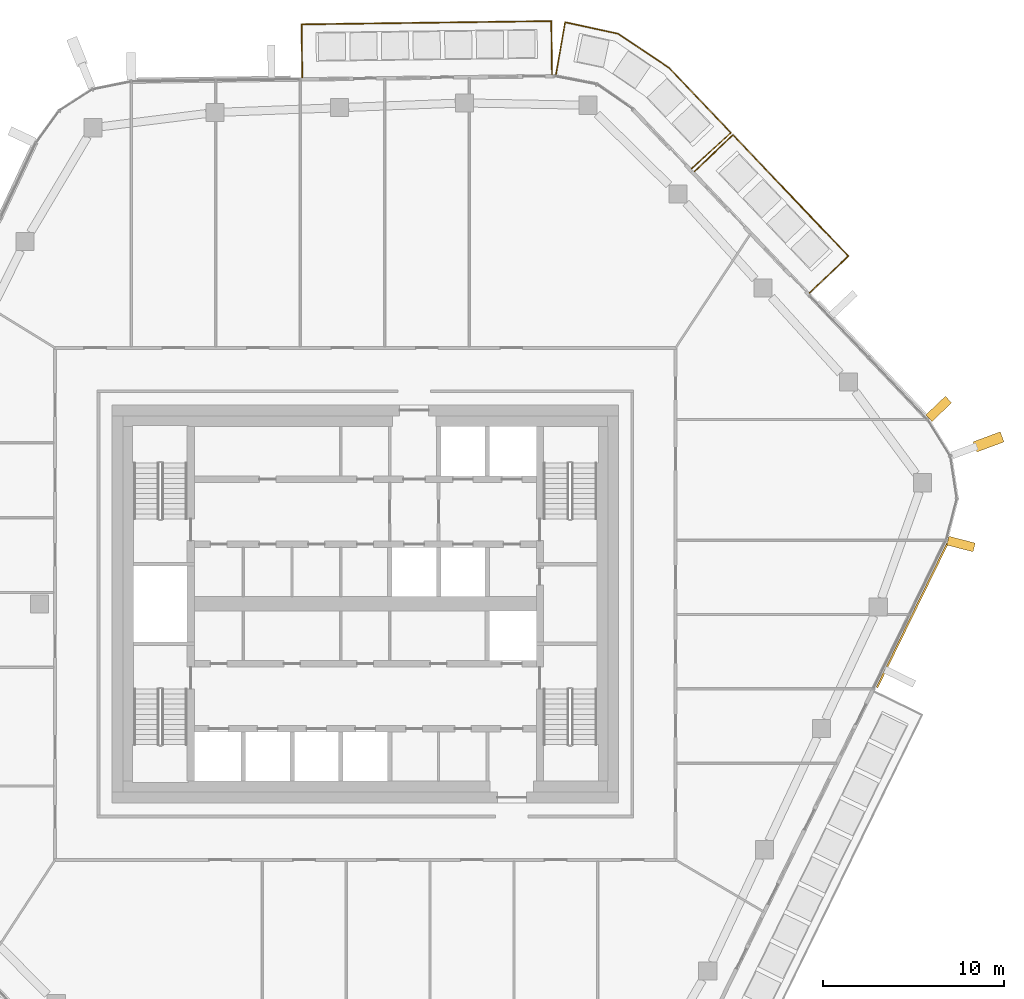
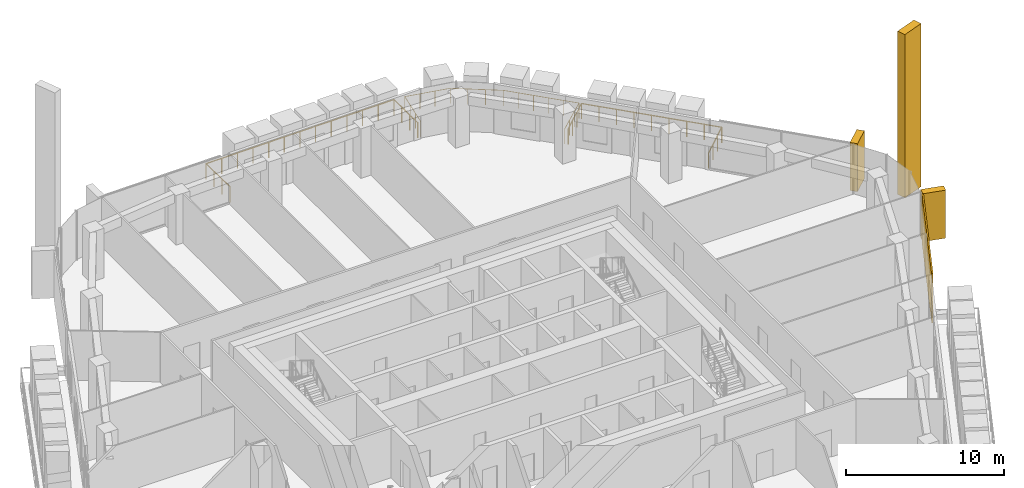
# One storey, part 24 of 24: 4 coverings, 3 railings, 3 elements without a shape of their own.
"""IFC4 building model written with IfcOpenShell, lengths in metres."""

from ifc_helpers import new_model, si_unit, direction, frame, origin, origin_2d, place, context, subcontext, project, spatial, rectangle, circle, extrude, material, layer, layer_set, material_profile, profile_set, type_object, element, aggregate, save


model = new_model("IFC4")

# Units and contexts
model_context = context("Model", 3, precision=1e-05, world=origin(), true_north=direction((0.0, 1.0)))
body_context = subcontext(model_context, "Body", "Model", "MODEL_VIEW")
ifc_project = project(units=[si_unit("LENGTHUNIT", "METRE"), si_unit("AREAUNIT", "SQUARE_METRE"), si_unit("VOLUMEUNIT", "CUBIC_METRE"), si_unit("PLANEANGLEUNIT", "RADIAN"), si_unit("MASSUNIT", "GRAM", prefix="KILO")], contexts=[model_context])

# Site, building, storey
site_placement = place(None, origin())
site = spatial("IfcSite", under=ifc_project, at=site_placement, CompositionType="ELEMENT")
building_placement = place(site_placement, origin())
building = spatial("IfcBuilding", under=site, at=building_placement, Name="Dongbaek Canopy Tower", CompositionType="ELEMENT")
storey_placement = place(building_placement, frame((0.0, 0.0, 332.0)))
storey = spatial("IfcBuildingStorey", under=building, at=storey_placement, Name="L71", CompositionType="ELEMENT", Elevation=332.0)

# Railings
ifc_material_1 = material(Name="Stainless steel", Category="steel")
railing_type = type_object("IfcRailingType", Name="Balcony balustrade 1200", PredefinedType="BALUSTRADE", material=ifc_material_1)
railing_1_placement = place(storey_placement, frame((24.560302734375, 17.197265625, 0.0)))
element("IfcRailing", 1, at=railing_1_placement, inside=storey, type_object=railing_type, Name="Balcony guard L71 1", PredefinedType="BALUSTRADE", context=body_context, shape_type="SweptSolid", body=[
    extrude(circle(Radius=0.02392578125, at=origin_2d()), frame((0.0, 0.0, 1.17578125), z_axis=(0.724937232647, 0.688814930676, 0.0), x_axis=(-0.688814930676, 0.724937232647, 0.0)), (0.0, 0.0, 1.0), 2.93994140625),
    extrude(circle(Radius=0.02392578125, at=origin_2d()), frame((2.13134765625, 2.025146484375, 1.17578125), z_axis=(-0.688813309185, 0.724938773338, 0.0), x_axis=(-0.724938773338, -0.688813309185, 0.0)), (0.0, 0.0, 1.0), 9.2451171875),
    extrude(circle(Radius=0.02392578125, at=origin_2d()), frame((-4.23681640625, 8.727294921875, 1.17578125), z_axis=(-0.724937232647, -0.688814930676, 0.0), x_axis=(0.688814930676, -0.724937232647, 0.0)), (0.0, 0.0, 1.0), 2.93994140625),
    extrude(circle(Radius=0.02099609375, at=origin_2d()), origin(), (0.0, 0.0, 1.0), 1.15185546875),
    extrude(circle(Radius=0.02099609375, at=origin_2d()), frame((0.71044921875, 0.675048828125, 0.0)), (0.0, 0.0, 1.0), 1.15185546875),
    extrude(circle(Radius=0.02099609375, at=origin_2d()), frame((1.4208984375, 1.35009765625, 0.0)), (0.0, 0.0, 1.0), 1.15185546875),
    extrude(circle(Radius=0.02099609375, at=origin_2d()), frame((2.13134765625, 2.025146484375, 0.0)), (0.0, 0.0, 1.0), 1.15185546875),
    extrude(circle(Radius=0.02099609375, at=origin_2d()), frame((1.33544921875, 2.86279296875, 0.0)), (0.0, 0.0, 1.0), 1.15185546875),
    extrude(circle(Radius=0.02099609375, at=origin_2d()), frame((0.539306640625, 3.70068359375, 0.0)), (0.0, 0.0, 1.0), 1.15185546875),
    extrude(circle(Radius=0.02099609375, at=origin_2d()), frame((-0.2568359375, 4.53857421875, 0.0)), (0.0, 0.0, 1.0), 1.15185546875),
    extrude(circle(Radius=0.02099609375, at=origin_2d()), frame((-1.052734375, 5.376220703125, 0.0)), (0.0, 0.0, 1.0), 1.15185546875),
    extrude(circle(Radius=0.02099609375, at=origin_2d()), frame((-1.8486328125, 6.2138671875, 0.0)), (0.0, 0.0, 1.0), 1.15185546875),
    extrude(circle(Radius=0.02099609375, at=origin_2d()), frame((-2.644775390625, 7.0517578125, 0.0)), (0.0, 0.0, 1.0), 1.15185546875),
    extrude(circle(Radius=0.02099609375, at=origin_2d()), frame((-3.44091796875, 7.8896484375, 0.0)), (0.0, 0.0, 1.0), 1.15185546875),
    extrude(circle(Radius=0.02099609375, at=origin_2d()), frame((-4.23681640625, 8.727294921875, 0.0)), (0.0, 0.0, 1.0), 1.15185546875),
    extrude(circle(Radius=0.02099609375, at=origin_2d()), frame((-4.947265625, 8.05224609375, 0.0)), (0.0, 0.0, 1.0), 1.15185546875),
    extrude(circle(Radius=0.02099609375, at=origin_2d()), frame((-5.65771484375, 7.377197265625, 0.0)), (0.0, 0.0, 1.0), 1.15185546875),
    extrude(circle(Radius=0.02099609375, at=origin_2d()), frame((-6.3681640625, 6.7021484375, 0.0)), (0.0, 0.0, 1.0), 1.15185546875),
])
railing_2_placement = place(storey_placement, frame((18.04052734375, 24.058837890625, 0.0)))
element("IfcRailing", 2, at=railing_2_placement, inside=storey, type_object=railing_type, Name="Balcony guard L71 6", PredefinedType="BALUSTRADE", context=body_context, shape_type="SweptSolid", body=[
    extrude(circle(Radius=0.02392578125, at=origin_2d()), frame((0.0, 0.0, 1.17578125), z_axis=(0.738861014798, 0.673857849114, 0.0), x_axis=(-0.673857849114, 0.738861014798, 0.0)), (0.0, 0.0, 1.0), 2.94091796875),
    extrude(circle(Radius=0.02392578125, at=origin_2d()), frame((2.1728515625, 1.981689453125, 1.17578125), z_axis=(-0.691085861423, 0.722772669753, 0.0), x_axis=(-0.722772669753, -0.691085861423, 0.0)), (0.0, 0.0, 1.0), 4.985107421875),
    extrude(circle(Radius=0.02392578125, at=origin_2d()), frame((-1.272216796875, 5.584716796875, 1.17578125), z_axis=(-0.830369112304, 0.557213726797, 0.0), x_axis=(-0.557213726797, -0.830369112304, 0.0)), (0.0, 0.0, 1.0), 3.35888671875),
    extrude(circle(Radius=0.02392578125, at=origin_2d()), frame((-4.061279296875, 7.456298828125, 1.17578125), z_axis=(-0.977272986086, 0.211984694415, 0.0), x_axis=(-0.211984694415, -0.977272986086, 0.0)), (0.0, 0.0, 1.0), 3.007080078125),
    extrude(circle(Radius=0.02392578125, at=origin_2d()), frame((-7.0, 8.09375, 1.17578125), z_axis=(-0.171610958794, -0.985164797799, 0.0), x_axis=(0.985164797799, -0.171610958794, 0.0)), (0.0, 0.0, 1.0), 2.940673828125),
    extrude(circle(Radius=0.02099609375, at=origin_2d()), origin(), (0.0, 0.0, 1.0), 1.15185546875),
    extrude(circle(Radius=0.02099609375, at=origin_2d()), frame((0.724365234375, 0.66064453125, 0.0)), (0.0, 0.0, 1.0), 1.15185546875),
    extrude(circle(Radius=0.02099609375, at=origin_2d()), frame((1.448486328125, 1.321044921875, 0.0)), (0.0, 0.0, 1.0), 1.15185546875),
    extrude(circle(Radius=0.02099609375, at=origin_2d()), frame((2.1728515625, 1.981689453125, 0.0)), (0.0, 0.0, 1.0), 1.15185546875),
    extrude(circle(Radius=0.02099609375, at=origin_2d()), frame((1.48388671875, 2.702392578125, 0.0)), (0.0, 0.0, 1.0), 1.15185546875),
    extrude(circle(Radius=0.02099609375, at=origin_2d()), frame((0.794921875, 3.4228515625, 0.0)), (0.0, 0.0, 1.0), 1.15185546875),
    extrude(circle(Radius=0.02099609375, at=origin_2d()), frame((0.105712890625, 4.1435546875, 0.0)), (0.0, 0.0, 1.0), 1.15185546875),
    extrude(circle(Radius=0.02099609375, at=origin_2d()), frame((-0.583251953125, 4.864013671875, 0.0)), (0.0, 0.0, 1.0), 1.15185546875),
    extrude(circle(Radius=0.02099609375, at=origin_2d()), frame((-1.272216796875, 5.584716796875, 0.0)), (0.0, 0.0, 1.0), 1.15185546875),
    extrude(circle(Radius=0.02099609375, at=origin_2d()), frame((-2.201904296875, 6.20849609375, 0.0)), (0.0, 0.0, 1.0), 1.15185546875),
    extrude(circle(Radius=0.02099609375, at=origin_2d()), frame((-3.131591796875, 6.83251953125, 0.0)), (0.0, 0.0, 1.0), 1.15185546875),
    extrude(circle(Radius=0.02099609375, at=origin_2d()), frame((-4.061279296875, 7.456298828125, 0.0)), (0.0, 0.0, 1.0), 1.15185546875),
    extrude(circle(Radius=0.02099609375, at=origin_2d()), frame((-5.040771484375, 7.668701171875, 0.0)), (0.0, 0.0, 1.0), 1.15185546875),
    extrude(circle(Radius=0.02099609375, at=origin_2d()), frame((-6.0205078125, 7.88134765625, 0.0)), (0.0, 0.0, 1.0), 1.15185546875),
    extrude(circle(Radius=0.02099609375, at=origin_2d()), frame((-7.0, 8.09375, 0.0)), (0.0, 0.0, 1.0), 1.15185546875),
    extrude(circle(Radius=0.02099609375, at=origin_2d()), frame((-7.168212890625, 7.128173828125, 0.0)), (0.0, 0.0, 1.0), 1.15185546875),
    extrude(circle(Radius=0.02099609375, at=origin_2d()), frame((-7.33642578125, 6.162353515625, 0.0)), (0.0, 0.0, 1.0), 1.15185546875),
    extrude(circle(Radius=0.02099609375, at=origin_2d()), frame((-7.504638671875, 5.19677734375, 0.0)), (0.0, 0.0, 1.0), 1.15185546875),
])
railing_3_placement = place(storey_placement, frame((10.31787109375, 29.275146484375, 0.0)))
element("IfcRailing", 3, at=railing_3_placement, inside=storey, type_object=railing_type, Name="Balcony guard L71 2", PredefinedType="BALUSTRADE", context=body_context, shape_type="SweptSolid", body=[
    extrude(circle(Radius=0.02392578125, at=origin_2d()), frame((0.0, 0.0, 1.17578125), z_axis=(-0.013120704205, 0.999913919856, 0.0), x_axis=(-0.999913919856, -0.013120704205, 0.0)), (0.0, 0.0, 1.0), 2.93994140625),
    extrude(circle(Radius=0.02392578125, at=origin_2d()), frame((-0.03857421875, 2.939697265625, 1.17578125), z_axis=(-0.999913421648, -0.013158617265, 0.0), x_axis=(0.013158617265, -0.999913421648, 0.0)), (0.0, 0.0, 1.0), 13.803955078125),
    extrude(circle(Radius=0.02392578125, at=origin_2d()), frame((-13.84130859375, 2.758056640625, 1.17578125), z_axis=(0.013203732205, -0.999912826928, 0.0), x_axis=(0.999912826928, 0.013203732205, 0.0)), (0.0, 0.0, 1.0), 2.93994140625),
    extrude(circle(Radius=0.02099609375, at=origin_2d()), origin(), (0.0, 0.0, 1.0), 1.15185546875),
    extrude(circle(Radius=0.02099609375, at=origin_2d()), frame((-0.012939453125, 0.97998046875, 0.0)), (0.0, 0.0, 1.0), 1.15185546875),
    extrude(circle(Radius=0.02099609375, at=origin_2d()), frame((-0.025634765625, 1.959716796875, 0.0)), (0.0, 0.0, 1.0), 1.15185546875),
    extrude(circle(Radius=0.02099609375, at=origin_2d()), frame((-0.03857421875, 2.939697265625, 0.0)), (0.0, 0.0, 1.0), 1.15185546875),
    extrude(circle(Radius=0.02099609375, at=origin_2d()), frame((-1.188720703125, 2.924560546875, 0.0)), (0.0, 0.0, 1.0), 1.15185546875),
    extrude(circle(Radius=0.02099609375, at=origin_2d()), frame((-2.339111328125, 2.909423828125, 0.0)), (0.0, 0.0, 1.0), 1.15185546875),
    extrude(circle(Radius=0.02099609375, at=origin_2d()), frame((-3.4892578125, 2.894287109375, 0.0)), (0.0, 0.0, 1.0), 1.15185546875),
    extrude(circle(Radius=0.02099609375, at=origin_2d()), frame((-4.639404296875, 2.879150390625, 0.0)), (0.0, 0.0, 1.0), 1.15185546875),
    extrude(circle(Radius=0.02099609375, at=origin_2d()), frame((-5.789794921875, 2.864013671875, 0.0)), (0.0, 0.0, 1.0), 1.15185546875),
    extrude(circle(Radius=0.02099609375, at=origin_2d()), frame((-6.93994140625, 2.848876953125, 0.0)), (0.0, 0.0, 1.0), 1.15185546875),
    extrude(circle(Radius=0.02099609375, at=origin_2d()), frame((-8.090087890625, 2.833740234375, 0.0)), (0.0, 0.0, 1.0), 1.15185546875),
    extrude(circle(Radius=0.02099609375, at=origin_2d()), frame((-9.240478515625, 2.818603515625, 0.0)), (0.0, 0.0, 1.0), 1.15185546875),
    extrude(circle(Radius=0.02099609375, at=origin_2d()), frame((-10.390625, 2.803466796875, 0.0)), (0.0, 0.0, 1.0), 1.15185546875),
    extrude(circle(Radius=0.02099609375, at=origin_2d()), frame((-11.540771484375, 2.788330078125, 0.0)), (0.0, 0.0, 1.0), 1.15185546875),
    extrude(circle(Radius=0.02099609375, at=origin_2d()), frame((-12.691162109375, 2.773193359375, 0.0)), (0.0, 0.0, 1.0), 1.15185546875),
    extrude(circle(Radius=0.02099609375, at=origin_2d()), frame((-13.84130859375, 2.758056640625, 0.0)), (0.0, 0.0, 1.0), 1.15185546875),
    extrude(circle(Radius=0.02099609375, at=origin_2d()), frame((-13.828369140625, 1.778076171875, 0.0)), (0.0, 0.0, 1.0), 1.15185546875),
    extrude(circle(Radius=0.02099609375, at=origin_2d()), frame((-13.8154296875, 0.79833984375, 0.0)), (0.0, 0.0, 1.0), 1.15185546875),
    extrude(circle(Radius=0.02099609375, at=origin_2d()), frame((-13.802490234375, -0.181640625, 0.0)), (0.0, 0.0, 1.0), 1.15185546875),
])

# Curtain wall, covering
ifc_material_2 = material(Name="Aluminium 6063-T6 pale anodised", Category="aluminium")
ifc_layer_1 = layer(ifc_material_2, 0.199951171875)
ifc_layer_set_1 = layer_set([ifc_layer_1], Name="CW-1 unitised tower curtain wall")
curtain_wall_type = type_object("IfcCurtainWallType", Name="CW-1 unitised tower curtain wall", PredefinedType="NOTDEFINED", material=ifc_layer_set_1)
curtain_wall_1_placement = place(storey_placement, origin())
curtain_wall_1 = element("IfcCurtainWall", 4, at=curtain_wall_1_placement, inside=storey, type_object=curtain_wall_type, Name="CW-1 curtain wall K0.1", PredefinedType="NOTDEFINED")
ifc_material_3 = material(Name="Aluminium 6063-T6 pale metal fin", Category="aluminium")
ifc_material_profile_1 = material_profile(ifc_material_3, rectangle(XDim=1.60009765625, YDim=0.60009765625, at=origin_2d()), Name="Corner fin CN1 600 x 1600 pale metal")
ifc_profile_set_1 = profile_set([ifc_material_profile_1], Name="Aluminium 6063-T6 pale metal fin")
covering_type_1 = type_object("IfcCoveringType", Name="Corner fin CN1 600 x 1600 pale metal", PredefinedType="CLADDING", material=ifc_profile_set_1)
covering_1_placement = place(storey_placement, frame((34.447998046875, 8.955322265625, -0.18994140625), z_axis=(0.0, 0.0, 1.0), x_axis=(0.937665304372, 0.347539604905, 0.0)))
covering_1 = element("IfcCovering", 5, at=covering_1_placement, type_object=covering_type_1, Name="Corner fin L71 L73 K0", PredefinedType="CLADDING", context=body_context, shape_type="SweptSolid", body=[
    extrude(rectangle(XDim=1.60009765625, YDim=0.60009765625, at=origin_2d()), origin(), (0.0, 0.0, 1.0), 12.579833984375),
])

curtain_wall_2_placement = place(storey_placement, origin())
curtain_wall_2 = element("IfcCurtainWall", 6, at=curtain_wall_2_placement, inside=storey, type_object=curtain_wall_type, Name="CW-1 curtain wall F5.1", PredefinedType="NOTDEFINED")
ifc_material_4 = material(Name="Perforated aluminium 6063-T6 pale metal screen", Category="aluminium")
ifc_layer_2 = layer(ifc_material_4, 0.10009765625)
ifc_layer_set_2 = layer_set([ifc_layer_2], Name="Facet screen FS1 100 pale metal")
covering_type_2 = type_object("IfcCoveringType", Name="Facet screen FS1 100 pale metal", PredefinedType="CLADDING", material=ifc_layer_set_2)
covering_2_placement = place(storey_placement, frame((30.230712890625, -0.63623046875, 0.0), z_axis=(0.0, 0.0, 1.0), x_axis=(0.439337207238, 0.898322224114, 0.0)))
covering_2 = element("IfcCovering", 7, at=covering_2_placement, type_object=covering_type_2, Name="Facet screen L71 F5", PredefinedType="CLADDING", context=body_context, shape_type="SweptSolid", body=[
    extrude(rectangle(XDim=8.876220703125, YDim=0.10009765625, at=origin_2d()), origin(), (0.0, 0.0, 1.0), 3.820068359375),
])
aggregate(curtain_wall_2, [covering_2])

# Covering
ifc_material_5 = material(Name="Aluminium 6063-T6 pale metal fin", Category="aluminium")
ifc_material_profile_2 = material_profile(ifc_material_5, rectangle(XDim=1.5, YDim=0.5, at=origin_2d()), Name="Fin FN1 500 x 1500 pale metal")
ifc_profile_set_2 = profile_set([ifc_material_profile_2], Name="Aluminium 6063-T6 pale metal fin")
covering_type_3 = type_object("IfcCoveringType", Name="Fin FN1 500 x 1500 pale metal", PredefinedType="CLADDING", material=ifc_profile_set_2)
covering_3_placement = place(storey_placement, frame((32.9248046875, 3.3095703125, 0.1201171875), z_axis=(0.0, 0.0, 1.0), x_axis=(0.96831359198, -0.249737437294, 0.0)))
covering_3 = element("IfcCovering", 8, at=covering_3_placement, type_object=covering_type_3, Name="Fin K0.1.1", PredefinedType="CLADDING", context=body_context, shape_type="SweptSolid", body=[
    extrude(rectangle(XDim=1.5, YDim=0.5, at=origin_2d()), origin(), (0.0, 0.0, 1.0), 3.699951171875),
])

aggregate(curtain_wall_1, [covering_3, covering_1])

# Curtain wall, covering
curtain_wall_3_placement = place(storey_placement, origin())
curtain_wall_3 = element("IfcCurtainWall", 9, at=curtain_wall_3_placement, inside=storey, type_object=curtain_wall_type, Name="CW-1 curtain wall F0.1", PredefinedType="NOTDEFINED")
covering_4_placement = place(storey_placement, frame((31.6923828125, 10.77978515625, 0.1201171875), z_axis=(0.0, 0.0, 1.0), x_axis=(0.724939653857, 0.688812382486, 0.0)))
covering_4 = element("IfcCovering", 10, at=covering_4_placement, type_object=covering_type_3, Name="Fin F0.1.1", PredefinedType="CLADDING", context=body_context, shape_type="SweptSolid", body=[
    extrude(rectangle(XDim=1.5, YDim=0.5, at=origin_2d()), origin(), (0.0, 0.0, 1.0), 3.699951171875),
])
aggregate(curtain_wall_3, [covering_4])

save(model, "model.ifc")
